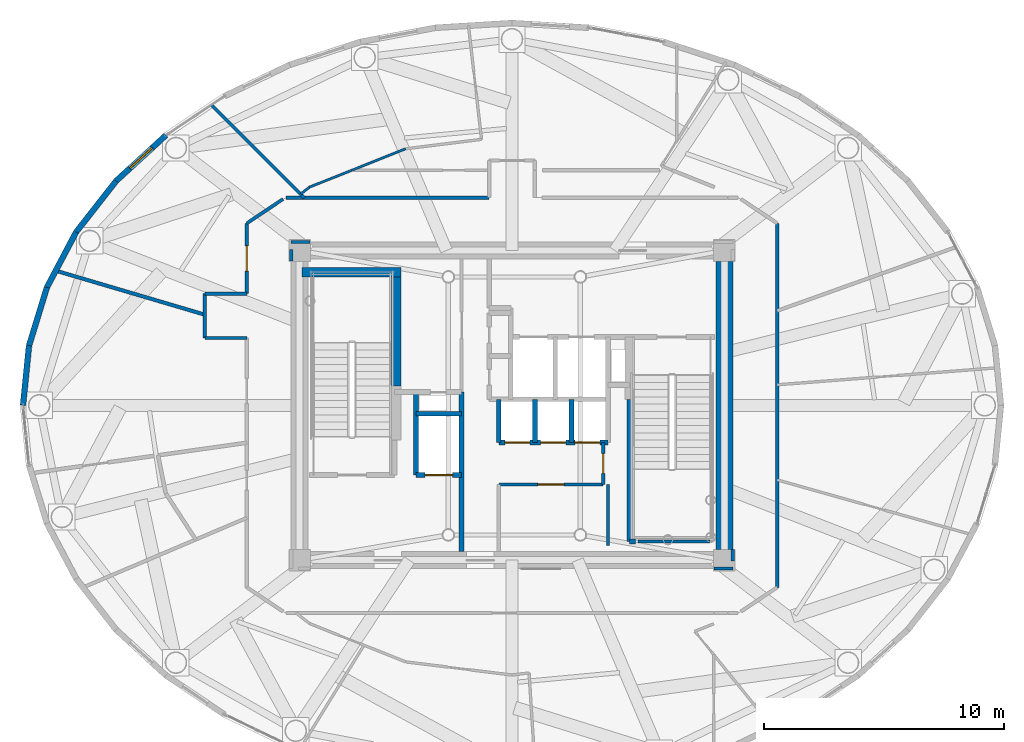
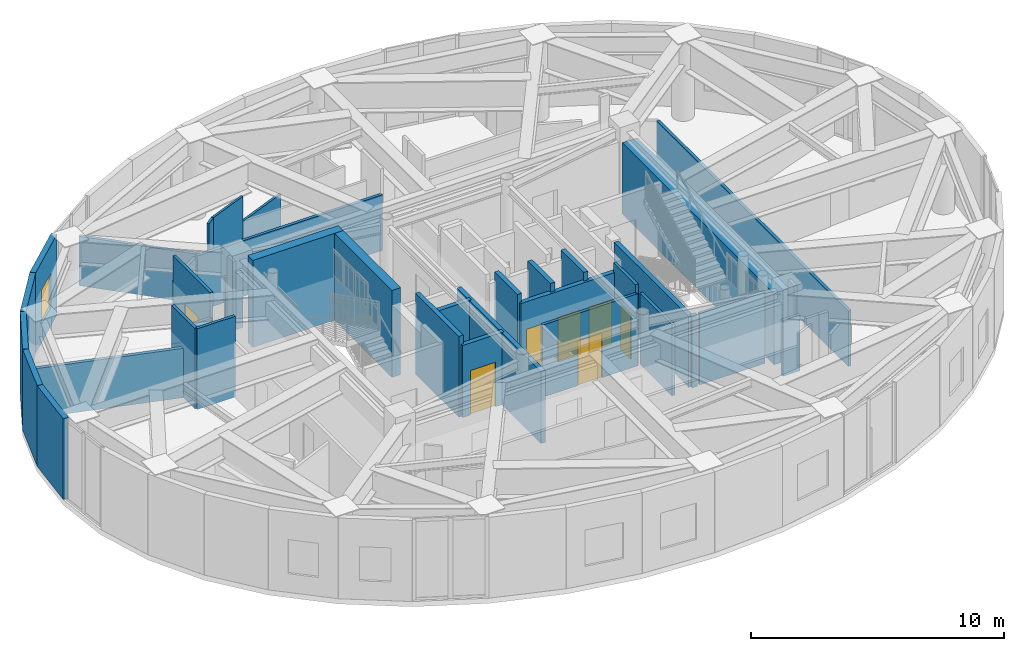
# One storey, part 15 of 23: 38 walls, 7 doors, 1 window, 8 openings.
"""IFC4 building model written with IfcOpenShell, lengths in metres."""

from ifc_helpers import new_model, si_unit, direction, frame, frame_2d, origin, origin_2d, place, context, subcontext, project, spatial, rectangle, extrude, source, transform, mapped, material, layer, layer_set, type_object, element, fill, save


model = new_model("IFC4")

# Units and contexts
model_context = context("Model", 3, precision=1e-05, world=origin(), true_north=direction((0.0, 1.0)))
body_context = subcontext(model_context, "Body", "Model", "MODEL_VIEW")
ifc_project = project(units=[si_unit("LENGTHUNIT", "METRE"), si_unit("AREAUNIT", "SQUARE_METRE"), si_unit("VOLUMEUNIT", "CUBIC_METRE"), si_unit("PLANEANGLEUNIT", "RADIAN"), si_unit("MASSUNIT", "GRAM", prefix="KILO")], contexts=[model_context])

# Site, building, storey
site_placement = place(None, origin())
site = spatial("IfcSite", under=ifc_project, at=site_placement, CompositionType="ELEMENT")
building_placement = place(site_placement, origin())
building = spatial("IfcBuilding", under=site, at=building_placement, Name="Linh Dai School and Residence Tower", CompositionType="ELEMENT")
storey_placement = place(building_placement, frame((0.0, 0.0, 359.39990234375)))
storey = spatial("IfcBuildingStorey", under=building, at=storey_placement, Name="L89", CompositionType="ELEMENT", Elevation=359.39990234375)

# Wall, opening, window
ifc_material_1 = material(Name="Precast Concrete B45 (C35/45)", Category="concrete")
ifc_layer_1 = layer(ifc_material_1, 0.239990234375)
ifc_layer_set_1 = layer_set([ifc_layer_1], Name="Precast Concrete B45 (C35/45)")
wall_type_1 = type_object("IfcWallType", Name="EW-TC-240", PredefinedType="SOLIDWALL", material=ifc_layer_set_1)
wall_1_placement = place(storey_placement, frame((19.5068359375, 36.351806640625, 0.0), z_axis=(0.0, 0.0, 1.0), x_axis=(0.737020907932, 0.675869944051, 0.0)))
wall_1 = element("IfcWall", 1, at=wall_1_placement, inside=storey, type_object=wall_type_1, Name="L89 Terracotta Exterior Wall 16", PredefinedType="SOLIDWALL", context=body_context, shape_type="SweptSolid", body=[
    extrude(rectangle(XDim=2.814697265625, YDim=0.239990234375, at=frame_2d((1.4072265625, 0.0))), origin(), (0.0, 0.0, 1.0), 3.900146484375),
])
opening_1_placement = place(wall_1_placement, frame((0.78271484375, 0.0, 0.89990234375)))
opening_1 = element("IfcOpeningElement", 2, at=opening_1_placement, cuts=wall_1, Name="Opening W3", PredefinedType="OPENING", context=body_context, shape_type="SweptSolid", body=[
    extrude(rectangle(XDim=1.25, YDim=1.64990234375, at=origin_2d()), frame((0.625, 0.1298828125, 0.824951171875), z_axis=(0.0, -1.0, 0.0), x_axis=(1.0, 0.0, 0.0)), (0.0, 0.0, 1.0), 0.260009765625),
])
ifc_material_2 = material(Name="Double Low-E Insulated Glazing", Category="glass")
window_type = type_object("IfcWindowType", Name="WN-RES-1250x1650", PartitioningType="SINGLE_PANEL", PredefinedType="WINDOW", material=ifc_material_2)
shared_shape_1 = source(origin(), body_context, "Body", "SweptSolid", [
    extrude(rectangle(XDim=1.25, YDim=1.64990234375, at=origin_2d()), frame((0.625, 0.030029296875, 0.824951171875), z_axis=(0.0, -1.0, 0.0), x_axis=(1.0, 0.0, 0.0)), (0.0, 0.0, 1.0), 0.06005859375),
])
window_placement = place(opening_1_placement, origin())
window = element("IfcWindow", 3, at=window_placement, inside=storey, type_object=window_type, Name="L89 Exterior Window 16.1", OverallHeight=1.64990234375, OverallWidth=1.25, PartitioningType="SINGLE_PANEL", PredefinedType="WINDOW", context=body_context, shape_type="MappedRepresentation", body=[
    mapped(shared_shape_1, transform((0.0, 0.0, 0.0), x_axis=(1.0, 0.0, 0.0), y_axis=(0.0, 1.0, 0.0), z_axis=(0.0, 0.0, 1.0), scale=1.0)),
])
fill(opening_1, window)

# Walls
wall_2_placement = place(storey_placement, frame((17.839111328125, 34.220703125, 0.0), z_axis=(0.0, 0.0, 1.0), x_axis=(0.616286367698, 0.78752213492, 0.0)))
element("IfcWall", 4, at=wall_2_placement, inside=storey, type_object=wall_type_1, Name="L89 Terracotta Exterior Wall 17", PredefinedType="SOLIDWALL", context=body_context, shape_type="SweptSolid", body=[
    extrude(rectangle(XDim=2.7060546875, YDim=0.239990234375, at=frame_2d((1.35302734375, 0.0))), origin(), (0.0, 0.0, 1.0), 3.900146484375),
])
wall_3_placement = place(storey_placement, frame((16.618896484375, 31.913330078125, 0.0), z_axis=(0.0, 0.0, 1.0), x_axis=(0.467487999989, 0.883999417345, 0.0)))
element("IfcWall", 5, at=wall_3_placement, inside=storey, type_object=wall_type_1, Name="L89 Terracotta Exterior Wall 18", PredefinedType="SOLIDWALL", context=body_context, shape_type="SweptSolid", body=[
    extrude(rectangle(XDim=2.610107421875, YDim=0.239990234375, at=frame_2d((1.30517578125, 0.0))), origin(), (0.0, 0.0, 1.0), 3.900146484375),
])
wall_4_placement = place(storey_placement, frame((15.875, 29.48681640625, 0.0), z_axis=(0.0, 0.0, 1.0), x_axis=(0.293105547213, 0.956080089842, 0.0)))
element("IfcWall", 6, at=wall_4_placement, inside=storey, type_object=wall_type_1, Name="L89 Terracotta Exterior Wall 19", PredefinedType="SOLIDWALL", context=body_context, shape_type="SweptSolid", body=[
    extrude(rectangle(XDim=2.5380859375, YDim=0.239990234375, at=frame_2d((1.26904296875, 0.0))), origin(), (0.0, 0.0, 1.0), 3.900146484375),
])
wall_5_placement = place(storey_placement, frame((15.625, 27.0, 0.0), z_axis=(0.0, 0.0, 1.0), x_axis=(0.100025963401, 0.994984827344, 0.0)))
element("IfcWall", 7, at=wall_5_placement, inside=storey, type_object=wall_type_1, Name="L89 Terracotta Exterior Wall 20", PredefinedType="SOLIDWALL", context=body_context, shape_type="SweptSolid", body=[
    extrude(rectangle(XDim=2.499267578125, YDim=0.239990234375, at=frame_2d((1.24951171875, 0.0))), origin(), (0.0, 0.0, 1.0), 3.900146484375),
])
ifc_material_3 = material(Name="Autoclaved Aerated Concrete Blockwork", Category="masonry")
ifc_layer_2 = layer(ifc_material_3, 0.135009765625)
ifc_layer_set_2 = layer_set([ifc_layer_2], Name="Autoclaved Aerated Concrete Blockwork")
wall_type_2 = type_object("IfcWallType", Name="IW-CORR-135-EI90", PredefinedType="PARTITIONING", material=ifc_layer_set_2)
wall_6_placement = place(storey_placement, frame((23.199951171875, 29.800048828125, 0.0), z_axis=(0.0, 0.0, 1.0), x_axis=(0.0, 1.0, 0.0)))
element("IfcWall", 8, at=wall_6_placement, inside=storey, type_object=wall_type_2, Name="L89 Interior Partition Wall 006", PredefinedType="PARTITIONING", context=body_context, shape_type="SweptSolid", body=[
    extrude(rectangle(XDim=1.849853515625, YDim=0.135009765625, at=frame_2d((0.9248046875, 0.0))), origin(), (0.0, 0.0, 1.0), 3.900146484375),
])
wall_7_placement = place(storey_placement, frame((23.199951171875, 29.800048828125, 0.0), z_axis=(0.0, 0.0, 1.0), x_axis=(1.0, 0.0, 0.0)))
element("IfcWall", 9, at=wall_7_placement, inside=storey, type_object=wall_type_2, Name="L89 Interior Partition Wall 007", PredefinedType="PARTITIONING", context=body_context, shape_type="SweptSolid", body=[
    extrude(rectangle(XDim=1.75, YDim=0.135009765625, at=frame_2d((0.875, 0.0))), origin(), (0.0, 0.0, 1.0), 3.900146484375),
])
wall_8_placement = place(storey_placement, frame((23.199951171875, 31.64990234375, 0.0), z_axis=(0.0, 0.0, 1.0), x_axis=(1.0, 0.0, 0.0)))
element("IfcWall", 10, at=wall_8_placement, inside=storey, type_object=wall_type_2, Name="L89 Interior Partition Wall 008", PredefinedType="PARTITIONING", context=body_context, shape_type="SweptSolid", body=[
    extrude(rectangle(XDim=1.75, YDim=0.135009765625, at=frame_2d((0.875, 0.0))), origin(), (0.0, 0.0, 1.0), 2.68505859375),
])
wall_9_placement = place(storey_placement, frame((23.473876953125, 39.526123046875, 0.0), z_axis=(0.0, 0.0, 1.0), x_axis=(0.707106781187, -0.707106781187, 0.0)))
element("IfcWall", 11, at=wall_9_placement, inside=storey, type_object=wall_type_2, Name="L89 Interior Partition Wall 009", PredefinedType="PARTITIONING", context=body_context, shape_type="SweptSolid", body=[
    extrude(rectangle(XDim=5.481689453125, YDim=0.135009765625, at=frame_2d((2.74072265625, 0.0))), origin(), (0.0, 0.0, 1.0), 2.385009765625),
])

# Wall, opening, door
wall_10_placement = place(storey_placement, frame((24.949951171875, 31.64990234375, 0.0), z_axis=(0.0, 0.0, 1.0), x_axis=(0.0, 1.0, 0.0)))
wall_10 = element("IfcWall", 12, at=wall_10_placement, inside=storey, type_object=wall_type_2, Name="L89 Interior Partition Wall 012", PredefinedType="PARTITIONING", context=body_context, shape_type="SweptSolid", body=[
    extrude(rectangle(XDim=2.9326171875, YDim=0.135009765625, at=frame_2d((1.46630859375, 0.0))), origin(), (0.0, 0.0, 1.0), 3.900146484375),
])
opening_2_placement = place(wall_10_placement, frame((0.94140625, 0.0, 0.0)))
opening_2 = element("IfcOpeningElement", 13, at=opening_2_placement, cuts=wall_10, Name="Opening D04", PredefinedType="OPENING", context=body_context, shape_type="SweptSolid", body=[
    extrude(rectangle(XDim=1.050048828125, YDim=2.14990234375, at=origin_2d()), frame((0.52490234375, 0.07763671875, 1.074951171875), z_axis=(0.0, -1.0, 0.0), x_axis=(1.0, 0.0, 0.0)), (0.0, 0.0, 1.0), 0.155029296875),
])
ifc_material_4 = material(Name="Acoustic Vision-Panel Timber Classroom Door", Category="wood")
door_type_1 = type_object("IfcDoorType", Name="DR-SCH-1050x2150-FD60S", OperationType="NOTDEFINED", PredefinedType="DOOR", material=ifc_material_4)
shared_shape_2 = source(origin(), body_context, "Body", "SweptSolid", [
    extrude(rectangle(XDim=1.050048828125, YDim=2.14990234375, at=origin_2d()), frame((0.52490234375, 0.02490234375, 1.074951171875), z_axis=(0.0, -1.0, 0.0), x_axis=(1.0, 0.0, 0.0)), (0.0, 0.0, 1.0), 0.050048828125),
])
door_1_placement = place(opening_2_placement, origin())
door_1 = element("IfcDoor", 14, at=door_1_placement, inside=storey, type_object=door_type_1, Name="L89 Crown Sky Wintergarden Lounge Door", OperationType="SINGLE_SWING_RIGHT", OverallHeight=2.14990234375, OverallWidth=1.050048828125, PredefinedType="DOOR", context=body_context, shape_type="MappedRepresentation", body=[
    mapped(shared_shape_2, transform((0.0, 0.0, 0.0), x_axis=(1.0, 0.0, 0.0), y_axis=(0.0, 1.0, 0.0), z_axis=(0.0, 0.0, 1.0), scale=1.0)),
])
fill(opening_2, door_1)

# Walls
wall_11_placement = place(storey_placement, frame((24.949951171875, 34.58251953125, 0.0), z_axis=(0.0, 0.0, 1.0), x_axis=(0.831180227396, 0.556003084151, 0.0)))
element("IfcWall", 15, at=wall_11_placement, inside=storey, type_object=wall_type_2, Name="L89 Interior Partition Wall 013", PredefinedType="PARTITIONING", context=body_context, shape_type="SweptSolid", body=[
    extrude(rectangle(XDim=1.815185546875, YDim=0.135009765625, at=frame_2d((0.90771484375, 0.0))), origin(), (0.0, 0.0, 1.0), 2.68505859375),
])
wall_12_placement = place(storey_placement, frame((26.580078125, 35.64990234375, 0.0), z_axis=(0.0, 0.0, 1.0), x_axis=(1.0, 0.0, 0.0)))
element("IfcWall", 16, at=wall_12_placement, inside=storey, type_object=wall_type_2, Name="L89 Interior Partition Wall 015", PredefinedType="PARTITIONING", context=body_context, shape_type="SweptSolid", body=[
    extrude(rectangle(XDim=8.469970703125, YDim=0.135009765625, at=frame_2d((4.23486328125, 0.0))), origin(), (0.0, 0.0, 1.0), 2.68505859375),
])

# Wall, opening, door
wall_13_placement = place(storey_placement, frame((35.449951171875, 23.699951171875, 0.0), z_axis=(0.0, 0.0, 1.0), x_axis=(1.0, 0.0, 0.0)))
wall_13 = element("IfcWall", 17, at=wall_13_placement, inside=storey, type_object=wall_type_2, Name="L89 Interior Partition Wall 043", PredefinedType="PARTITIONING", context=body_context, shape_type="SweptSolid", body=[
    extrude(rectangle(XDim=4.35009765625, YDim=0.135009765625, at=frame_2d((2.175048828125, 0.0))), origin(), (0.0, 0.0, 1.0), 3.485107421875),
])
opening_3_placement = place(wall_13_placement, frame((1.625, 0.0, 0.0)))
opening_3 = element("IfcOpeningElement", 18, at=opening_3_placement, cuts=wall_13, Name="Opening D07", PredefinedType="OPENING", context=body_context, shape_type="SweptSolid", body=[
    extrude(rectangle(XDim=1.10009765625, YDim=2.14990234375, at=origin_2d()), frame((0.550048828125, 0.07763671875, 1.074951171875), z_axis=(0.0, -1.0, 0.0), x_axis=(1.0, 0.0, 0.0)), (0.0, 0.0, 1.0), 0.155029296875),
])
ifc_material_5 = material(Name="Fire-Rated Louvred Steel Plant Door", Category="steel")
door_type_2 = type_object("IfcDoorType", Name="DR-PLT-1100x2150-FD60S", OperationType="NOTDEFINED", PredefinedType="DOOR", material=ifc_material_5)
shared_shape_3 = source(origin(), body_context, "Body", "SweptSolid", [
    extrude(rectangle(XDim=1.10009765625, YDim=2.14990234375, at=origin_2d()), frame((0.550048828125, 0.02490234375, 1.074951171875), z_axis=(0.0, -1.0, 0.0), x_axis=(1.0, 0.0, 0.0)), (0.0, 0.0, 1.0), 0.050048828125),
])
door_2_placement = place(opening_3_placement, origin())
door_2 = element("IfcDoor", 19, at=door_2_placement, inside=storey, type_object=door_type_2, Name="L89 Tenant Metering and BMS Room Door", OperationType="SINGLE_SWING_LEFT", OverallHeight=2.14990234375, OverallWidth=1.10009765625, PredefinedType="DOOR", context=body_context, shape_type="MappedRepresentation", body=[
    mapped(shared_shape_3, transform((0.0, 0.0, 0.0), x_axis=(1.0, 0.0, 0.0), y_axis=(0.0, 1.0, 0.0), z_axis=(0.0, 0.0, 1.0), scale=1.0)),
])
fill(opening_3, door_2)

wall_14_placement = place(storey_placement, frame((39.800048828125, 23.699951171875, 0.0), z_axis=(0.0, 0.0, 1.0), x_axis=(0.0, 1.0, 0.0)))
wall_14 = element("IfcWall", 20, at=wall_14_placement, inside=storey, type_object=wall_type_2, Name="L89 Interior Partition Wall 055", PredefinedType="PARTITIONING", context=body_context, shape_type="SweptSolid", body=[
    extrude(rectangle(XDim=1.75, YDim=0.135009765625, at=frame_2d((0.875, 0.0))), origin(), (0.0, 0.0, 1.0), 3.900146484375),
])
opening_4_placement = place(wall_14_placement, frame((0.465087890625, 0.0, 0.0)))
opening_4 = element("IfcOpeningElement", 21, at=opening_4_placement, cuts=wall_14, Name="Opening D06", PredefinedType="OPENING", context=body_context, shape_type="SweptSolid", body=[
    extrude(rectangle(XDim=0.820068359375, YDim=2.10009765625, at=origin_2d()), frame((0.41015625, 0.07763671875, 1.050048828125), z_axis=(0.0, -1.0, 0.0), x_axis=(1.0, 0.0, 0.0)), (0.0, 0.0, 1.0), 0.155029296875),
])
ifc_material_6 = material(Name="Moisture-Resistant Timber Bathroom Door", Category="wood")
door_type_3 = type_object("IfcDoorType", Name="DR-WET-820x2100", OperationType="NOTDEFINED", PredefinedType="DOOR", material=ifc_material_6)
shared_shape_4 = source(origin(), body_context, "Body", "SweptSolid", [
    extrude(rectangle(XDim=0.820068359375, YDim=2.10009765625, at=origin_2d()), frame((0.41015625, 0.02490234375, 1.050048828125), z_axis=(0.0, -1.0, 0.0), x_axis=(1.0, 0.0, 0.0)), (0.0, 0.0, 1.0), 0.050048828125),
])
door_3_placement = place(opening_4_placement, origin())
door_3 = element("IfcDoor", 22, at=door_3_placement, inside=storey, type_object=door_type_3, Name="L89 Core Housekeeping Store Door", OperationType="SINGLE_SWING_LEFT", OverallHeight=2.10009765625, OverallWidth=0.820068359375, PredefinedType="DOOR", context=body_context, shape_type="MappedRepresentation", body=[
    mapped(shared_shape_4, transform((0.0, 0.0, 0.0), x_axis=(1.0, 0.0, 0.0), y_axis=(0.0, 1.0, 0.0), z_axis=(0.0, 0.0, 1.0), scale=1.0)),
])
fill(opening_4, door_3)

# Walls
wall_15_placement = place(storey_placement, frame((47.050048828125, 19.41748046875, 0.0), z_axis=(0.0, 0.0, 1.0), x_axis=(0.0, 1.0, 0.0)))
element("IfcWall", 23, at=wall_15_placement, inside=storey, type_object=wall_type_2, Name="L89 Interior Partition Wall 070", PredefinedType="PARTITIONING", context=body_context, shape_type="SweptSolid", body=[
    extrude(rectangle(XDim=15.1650390625, YDim=0.135009765625, at=frame_2d((7.58251953125, 0.0))), origin(), (0.0, 0.0, 1.0), 2.68505859375),
])
wall_16_placement = place(storey_placement, frame((44.239990234375, 21.330078125, 0.0), z_axis=(0.0, 0.0, 1.0), x_axis=(-1.0, 0.0, 0.0)))
element("IfcWall", 24, at=wall_16_placement, inside=storey, type_object=wall_type_2, Name="L89 Interior Partition Wall 074", PredefinedType="PARTITIONING", context=body_context, shape_type="SweptSolid", body=[
    extrude(rectangle(XDim=2.97998046875, YDim=0.135009765625, at=frame_2d((1.489990234375, 0.0))), origin(), (0.0, 0.0, 1.0), 3.43505859375),
])
wall_17_placement = place(storey_placement, frame((40.0, 23.699951171875, 0.0), z_axis=(0.0, 0.0, 1.0), x_axis=(0.0, -1.0, 0.0)))
element("IfcWall", 25, at=wall_17_placement, inside=storey, type_object=wall_type_2, Name="L89 Interior Partition Wall 075", PredefinedType="PARTITIONING", context=body_context, shape_type="SweptSolid", body=[
    extrude(rectangle(XDim=2.5400390625, YDim=0.135009765625, at=frame_2d((1.27001953125, 0.0))), origin(), (0.0, 0.0, 1.0), 3.43505859375),
])
wall_18_placement = place(storey_placement, frame((27.590087890625, 33.800048828125, 0.0), z_axis=(0.0, 0.0, 1.0), x_axis=(-1.0, 0.0, 0.0)))
element("IfcWall", 26, at=wall_18_placement, inside=storey, type_object=wall_type_2, Name="L89 Interior Partition Wall 080", PredefinedType="PARTITIONING", context=body_context, shape_type="SweptSolid", body=[
    extrude(rectangle(XDim=0.7900390625, YDim=0.135009765625, at=frame_2d((0.39501953125, 0.0))), origin(), (0.0, 0.0, 1.0), 2.68505859375),
])
wall_19_placement = place(storey_placement, frame((26.800048828125, 33.492431640625, 0.0), z_axis=(0.0, 0.0, 1.0), x_axis=(0.0, -1.0, 0.0)))
element("IfcWall", 27, at=wall_19_placement, inside=storey, type_object=wall_type_2, Name="L89 Interior Partition Wall 081", PredefinedType="PARTITIONING", context=body_context, shape_type="SweptSolid", body=[
    extrude(rectangle(XDim=0.482421875, YDim=0.135009765625, at=frame_2d((0.2412109375, 0.0))), origin(), (0.0, 0.0, 1.0), 3.900146484375),
])
wall_20_placement = place(storey_placement, frame((44.409912109375, 20.199951171875, 0.0), z_axis=(0.0, 0.0, 1.0), x_axis=(1.0, 0.0, 0.0)))
element("IfcWall", 28, at=wall_20_placement, inside=storey, type_object=wall_type_2, Name="L89 Interior Partition Wall 084", PredefinedType="PARTITIONING", context=body_context, shape_type="SweptSolid", body=[
    extrude(rectangle(XDim=0.7900390625, YDim=0.135009765625, at=frame_2d((0.39501953125, 0.0))), origin(), (0.0, 0.0, 1.0), 2.68505859375),
])
wall_21_placement = place(storey_placement, frame((45.199951171875, 20.507568359375, 0.0), z_axis=(0.0, 0.0, 1.0), x_axis=(0.0, 1.0, 0.0)))
element("IfcWall", 29, at=wall_21_placement, inside=storey, type_object=wall_type_2, Name="L89 Interior Partition Wall 085", PredefinedType="PARTITIONING", context=body_context, shape_type="SweptSolid", body=[
    extrude(rectangle(XDim=0.482421875, YDim=0.135009765625, at=frame_2d((0.2412109375, 0.0))), origin(), (0.0, 0.0, 1.0), 3.900146484375),
])
ifc_layer_3 = layer(ifc_material_3, 0.14990234375)
ifc_layer_set_3 = layer_set([ifc_layer_3], Name="Autoclaved Aerated Concrete Blockwork")
wall_type_3 = type_object("IfcWallType", Name="IW-SCH-150-EI60", PredefinedType="PARTITIONING", material=ifc_layer_set_3)
wall_22_placement = place(storey_placement, frame((16.982421875, 32.611572265625, 0.0), z_axis=(0.0, 0.0, 1.0), x_axis=(0.95911324628, -0.283022580037, 0.0)))
element("IfcWall", 30, at=wall_22_placement, inside=storey, type_object=wall_type_3, Name="L89 Interior Partition Wall 002", PredefinedType="PARTITIONING", context=body_context, shape_type="SweptSolid", body=[
    extrude(rectangle(XDim=6.482666015625, YDim=0.14990234375, at=frame_2d((3.2412109375, 0.0))), origin(), (0.0, 0.0, 1.0), 2.385009765625),
])
ifc_material_7 = material(Name="Concrete B45 (C35/45)", Category="concrete")
ifc_layer_4 = layer(ifc_material_7, 0.199951171875)
ifc_layer_set_4 = layer_set([ifc_layer_4], Name="Concrete B45 (C35/45)")
wall_type_4 = type_object("IfcWallType", Name="IW-SHAFT-200-EI120", PredefinedType="PARTITIONING", material=ifc_layer_set_4)
wall_23_placement = place(storey_placement, frame((32.0, 24.10009765625, 0.0), z_axis=(0.0, 0.0, 1.0), x_axis=(0.0, 1.0, 0.0)))
element("IfcWall", 31, at=wall_23_placement, inside=storey, type_object=wall_type_4, Name="L89 Interior Partition Wall 028", PredefinedType="PARTITIONING", context=body_context, shape_type="SweptSolid", body=[
    extrude(rectangle(XDim=3.449951171875, YDim=0.199951171875, at=frame_2d((1.72509765625, 0.0))), origin(), (0.0, 0.0, 1.0), 3.900146484375),
])

# Wall, opening, door
wall_24_placement = place(storey_placement, frame((32.0, 24.10009765625, 0.0), z_axis=(0.0, 0.0, 1.0), x_axis=(1.0, 0.0, 0.0)))
wall_24 = element("IfcWall", 32, at=wall_24_placement, inside=storey, type_object=wall_type_4, Name="L89 Interior Partition Wall 029", PredefinedType="PARTITIONING", context=body_context, shape_type="SweptSolid", body=[
    extrude(rectangle(XDim=1.89990234375, YDim=0.199951171875, at=frame_2d((0.949951171875, 0.0))), origin(), (0.0, 0.0, 1.0), 3.485107421875),
])
opening_5_placement = place(wall_24_placement, frame((0.375, 0.0, 0.0)))
opening_5 = element("IfcOpeningElement", 33, at=opening_5_placement, cuts=wall_24, Name="Opening LD-FF2", PredefinedType="OPENING", context=body_context, shape_type="SweptSolid", body=[
    extrude(rectangle(XDim=1.14990234375, YDim=2.14990234375, at=origin_2d()), frame((0.574951171875, 0.10986328125, 1.074951171875), z_axis=(0.0, -1.0, 0.0), x_axis=(1.0, 0.0, 0.0)), (0.0, 0.0, 1.0), 0.219970703125),
])
ifc_material_8 = material(Name="Fire-Rated Stainless Steel Firefighting Lift Door", Category="steel")
door_type_4 = type_object("IfcDoorType", Name="DR-LD-FF-1150x2150-FD120", OperationType="DOUBLE_DOOR_SLIDING", PredefinedType="USERDEFINED", material=ifc_material_8)
shared_shape_5 = source(origin(), body_context, "Body", "SweptSolid", [
    extrude(rectangle(XDim=1.14990234375, YDim=2.14990234375, at=origin_2d()), frame((0.574951171875, 0.02490234375, 1.074951171875), z_axis=(0.0, -1.0, 0.0), x_axis=(1.0, 0.0, 0.0)), (0.0, 0.0, 1.0), 0.050048828125),
])
door_4_placement = place(opening_5_placement, origin())
door_4 = element("IfcDoor", 34, at=door_4_placement, inside=storey, type_object=door_type_4, Name="L89 Lift FF2 Sliding Landing Door", ObjectType="LANDING DOOR", OperationType="DOUBLE_DOOR_SLIDING", OverallHeight=2.14990234375, OverallWidth=1.14990234375, PredefinedType="USERDEFINED", context=body_context, shape_type="MappedRepresentation", body=[
    mapped(shared_shape_5, transform((0.0, 0.0, 0.0), x_axis=(1.0, 0.0, 0.0), y_axis=(0.0, 1.0, 0.0), z_axis=(0.0, 0.0, 1.0), scale=1.0)),
])
fill(opening_5, door_4)

# Walls
wall_25_placement = place(storey_placement, frame((32.0, 26.64990234375, 0.0), z_axis=(0.0, 0.0, 1.0), x_axis=(1.0, 0.0, 0.0)))
element("IfcWall", 35, at=wall_25_placement, inside=storey, type_object=wall_type_4, Name="L89 Interior Partition Wall 030", PredefinedType="PARTITIONING", context=body_context, shape_type="SweptSolid", body=[
    extrude(rectangle(XDim=1.89990234375, YDim=0.199951171875, at=frame_2d((0.949951171875, 0.0))), origin(), (0.0, 0.0, 1.0), 3.485107421875),
])
wall_26_placement = place(storey_placement, frame((33.89990234375, 20.89990234375, 0.0), z_axis=(0.0, 0.0, 1.0), x_axis=(0.0, 1.0, 0.0)))
element("IfcWall", 36, at=wall_26_placement, inside=storey, type_object=wall_type_4, Name="L89 Interior Partition Wall 031", PredefinedType="PARTITIONING", context=body_context, shape_type="SweptSolid", body=[
    extrude(rectangle(XDim=6.650146484375, YDim=0.199951171875, at=frame_2d((3.3251953125, 0.0))), origin(), (0.0, 0.0, 1.0), 3.485107421875),
])
wall_27_placement = place(storey_placement, frame((35.449951171875, 25.449951171875, 0.0), z_axis=(0.0, 0.0, 1.0), x_axis=(0.0, 1.0, 0.0)))
element("IfcWall", 37, at=wall_27_placement, inside=storey, type_object=wall_type_4, Name="L89 Interior Partition Wall 044", PredefinedType="PARTITIONING", context=body_context, shape_type="SweptSolid", body=[
    extrude(rectangle(XDim=1.800048828125, YDim=0.199951171875, at=frame_2d((0.89990234375, 0.0))), origin(), (0.0, 0.0, 1.0), 3.900146484375),
])

# Wall, openings, doors
wall_28_placement = place(storey_placement, frame((35.449951171875, 25.449951171875, 0.0), z_axis=(0.0, 0.0, 1.0), x_axis=(1.0, 0.0, 0.0)))
wall_28 = element("IfcWall", 38, at=wall_28_placement, inside=storey, type_object=wall_type_4, Name="L89 Interior Partition Wall 045", PredefinedType="PARTITIONING", context=body_context, shape_type="SweptSolid", body=[
    extrude(rectangle(XDim=4.550048828125, YDim=0.199951171875, at=frame_2d((2.27490234375, 0.0))), origin(), (0.0, 0.0, 1.0), 3.485107421875),
])
opening_6_placement = place(wall_28_placement, frame((0.25, 0.0, 0.0)))
opening_6 = element("IfcOpeningElement", 39, at=opening_6_placement, cuts=wall_28, Name="Opening LD-PL7", PredefinedType="OPENING", context=body_context, shape_type="SweptSolid", body=[
    extrude(rectangle(XDim=1.050048828125, YDim=2.14990234375, at=origin_2d()), frame((0.52490234375, 0.10986328125, 1.074951171875), z_axis=(0.0, -1.0, 0.0), x_axis=(1.0, 0.0, 0.0)), (0.0, 0.0, 1.0), 0.219970703125),
])
opening_7_placement = place(wall_28_placement, frame((1.7451171875, 0.0, 0.0)))
opening_7 = element("IfcOpeningElement", 40, at=opening_7_placement, cuts=wall_28, Name="Opening LD-PL8", PredefinedType="OPENING", context=body_context, shape_type="SweptSolid", body=[
    extrude(rectangle(XDim=1.050048828125, YDim=2.14990234375, at=origin_2d()), frame((0.52490234375, 0.10986328125, 1.074951171875), z_axis=(0.0, -1.0, 0.0), x_axis=(1.0, 0.0, 0.0)), (0.0, 0.0, 1.0), 0.219970703125),
])
opening_8_placement = place(wall_28_placement, frame((3.1650390625, 0.0, 0.0)))
opening_8 = element("IfcOpeningElement", 41, at=opening_8_placement, cuts=wall_28, Name="Opening LD-PL9", PredefinedType="OPENING", context=body_context, shape_type="SweptSolid", body=[
    extrude(rectangle(XDim=1.050048828125, YDim=2.14990234375, at=origin_2d()), frame((0.52490234375, 0.10986328125, 1.074951171875), z_axis=(0.0, -1.0, 0.0), x_axis=(1.0, 0.0, 0.0)), (0.0, 0.0, 1.0), 0.219970703125),
])
ifc_material_9 = material(Name="Brushed Stainless Steel Lift Landing Door", Category="steel")
door_type_5 = type_object("IfcDoorType", Name="DR-LD-PASS-1050x2150", OperationType="DOUBLE_DOOR_SLIDING", PredefinedType="USERDEFINED", material=ifc_material_9)
shared_shape_6 = source(origin(), body_context, "Body", "SweptSolid", [
    extrude(rectangle(XDim=1.050048828125, YDim=2.14990234375, at=origin_2d()), frame((0.52490234375, 0.02490234375, 1.074951171875), z_axis=(0.0, -1.0, 0.0), x_axis=(1.0, 0.0, 0.0)), (0.0, 0.0, 1.0), 0.050048828125),
])
door_5_placement = place(opening_6_placement, origin())
door_5 = element("IfcDoor", 42, at=door_5_placement, inside=storey, type_object=door_type_5, Name="L89 Lift PL7 Sliding Landing Door", ObjectType="LANDING DOOR", OperationType="DOUBLE_DOOR_SLIDING", OverallHeight=2.14990234375, OverallWidth=1.050048828125, PredefinedType="USERDEFINED", context=body_context, shape_type="MappedRepresentation", body=[
    mapped(shared_shape_6, transform((0.0, 0.0, 0.0), x_axis=(1.0, 0.0, 0.0), y_axis=(0.0, 1.0, 0.0), z_axis=(0.0, 0.0, 1.0), scale=1.0)),
])
fill(opening_6, door_5)
door_6_placement = place(opening_7_placement, origin())
door_6 = element("IfcDoor", 43, at=door_6_placement, inside=storey, type_object=door_type_5, Name="L89 Lift PL8 Sliding Landing Door", ObjectType="LANDING DOOR", OperationType="DOUBLE_DOOR_SLIDING", OverallHeight=2.14990234375, OverallWidth=1.050048828125, PredefinedType="USERDEFINED", context=body_context, shape_type="MappedRepresentation", body=[
    mapped(shared_shape_6, transform((0.0, 0.0, 0.0), x_axis=(1.0, 0.0, 0.0), y_axis=(0.0, 1.0, 0.0), z_axis=(0.0, 0.0, 1.0), scale=1.0)),
])
fill(opening_7, door_6)
door_7_placement = place(opening_8_placement, origin())
door_7 = element("IfcDoor", 44, at=door_7_placement, inside=storey, type_object=door_type_5, Name="L89 Lift PL9 Sliding Landing Door", ObjectType="LANDING DOOR", OperationType="DOUBLE_DOOR_SLIDING", OverallHeight=2.14990234375, OverallWidth=1.050048828125, PredefinedType="USERDEFINED", context=body_context, shape_type="MappedRepresentation", body=[
    mapped(shared_shape_6, transform((0.0, 0.0, 0.0), x_axis=(1.0, 0.0, 0.0), y_axis=(0.0, 1.0, 0.0), z_axis=(0.0, 0.0, 1.0), scale=1.0)),
])
fill(opening_8, door_7)

# Walls
for number, where, z_axis, x_axis, name in (
    (45, (36.9599609375, 25.449951171875, 0.0), (0.0, 0.0, 1.0), (0.0, 1.0, 0.0), "L89 Interior Partition Wall 052"),
    (46, (38.47998046875, 25.449951171875, 0.0), (0.0, 0.0, 1.0), (0.0, 1.0, 0.0), "L89 Interior Partition Wall 054"),
):
    element("IfcWall", number, at=place(storey_placement, frame(where, z_axis=z_axis, x_axis=x_axis)), inside=storey, type_object=wall_type_4, Name=name, PredefinedType="PARTITIONING", context=body_context, shape_type="SweptSolid", body=[
        extrude(rectangle(XDim=1.800048828125, YDim=0.199951171875, at=frame_2d((0.89990234375, 0.0))), origin(), (0.0, 0.0, 1.0), 3.900146484375),
    ])
wall_29_placement = place(storey_placement, frame((40.89990234375, 21.330078125, 0.0), z_axis=(0.0, 0.0, 1.0), x_axis=(0.0, 1.0, 0.0)))
element("IfcWall", 47, at=wall_29_placement, inside=storey, type_object=wall_type_4, Name="L89 Interior Partition Wall 058", PredefinedType="PARTITIONING", context=body_context, shape_type="SweptSolid", body=[
    extrude(rectangle(XDim=5.909912109375, YDim=0.199951171875, at=frame_2d((2.955078125, 0.0))), origin(), (0.0, 0.0, 1.0), 3.43505859375),
])
wall_30_placement = place(storey_placement, frame((40.89990234375, 21.330078125, 0.0), z_axis=(0.0, 0.0, 1.0), x_axis=(1.0, 0.0, 0.0)))
element("IfcWall", 48, at=wall_30_placement, inside=storey, type_object=wall_type_4, Name="L89 Interior Partition Wall 059", PredefinedType="PARTITIONING", context=body_context, shape_type="SweptSolid", body=[
    extrude(rectangle(XDim=0.25, YDim=0.199951171875, at=frame_2d((0.125, 0.0))), origin(), (0.0, 0.0, 1.0), 3.43505859375),
])
ifc_material_10 = material(Name="Gypsum Plasterboard Acoustic Stud Partition", Category="masonry")
ifc_layer_5 = layer(ifc_material_10, 0.10009765625)
ifc_layer_set_5 = layer_set([ifc_layer_5], Name="Gypsum Plasterboard Acoustic Stud Partition")
wall_type_5 = type_object("IfcWallType", Name="IW-UNIT-100", PredefinedType="PARTITIONING", material=ifc_layer_set_5)
wall_31_placement = place(storey_placement, frame((27.196533203125, 35.803466796875, 0.0), z_axis=(0.0, 0.0, 1.0), x_axis=(0.787438970535, 0.616392624617, 0.0)))
element("IfcWall", 49, at=wall_31_placement, inside=storey, type_object=wall_type_5, Name="L89 Interior Partition Wall 018", PredefinedType="PARTITIONING", context=body_context, shape_type="SweptSolid", body=[
    extrude(rectangle(XDim=0.46826171875, YDim=0.10009765625, at=frame_2d((0.234130859375, 0.0))), origin(), (0.0, 0.0, 1.0), 3.900146484375),
])
wall_32_placement = place(storey_placement, frame((27.565185546875, 36.092041015625, 0.0), z_axis=(0.0, 0.0, 1.0), x_axis=(0.928751717561, 0.370702370006, 0.0)))
element("IfcWall", 50, at=wall_32_placement, inside=storey, type_object=wall_type_5, Name="L89 Interior Partition Wall 021", PredefinedType="PARTITIONING", context=body_context, shape_type="SweptSolid", body=[
    extrude(rectangle(XDim=1.89599609375, YDim=0.10009765625, at=frame_2d((0.947998046875, 0.0))), origin(), (0.0, 0.0, 1.0), 3.900146484375),
])
wall_33_placement = place(storey_placement, frame((29.33642578125, 36.7958984375, 0.0), z_axis=(0.0, 0.0, 1.0), x_axis=(0.928350426012, 0.371706183058, 0.0)))
element("IfcWall", 51, at=wall_33_placement, inside=storey, type_object=wall_type_5, Name="L89 Interior Partition Wall 022", PredefinedType="PARTITIONING", context=body_context, shape_type="SweptSolid", body=[
    extrude(rectangle(XDim=2.4013671875, YDim=0.10009765625, at=frame_2d((1.20068359375, 0.0))), origin(), (0.0, 0.0, 1.0), 2.68505859375),
])
ifc_layer_6 = layer(ifc_material_7, 0.39990234375)
ifc_layer_set_6 = layer_set([ifc_layer_6], Name="Concrete B45 (C35/45)")
wall_type_6 = type_object("IfcWallType", Name="WL-CORE400", PredefinedType="SHEAR", material=ifc_layer_set_6)
wall_34_placement = place(storey_placement, frame((31.179931640625, 27.800048828125, 0.0), z_axis=(0.0, 0.0, 1.0), x_axis=(0.0, 1.0, 0.0)))
element("IfcWall", 52, at=wall_34_placement, inside=storey, type_object=wall_type_6, Name="L89 Core Stair ST1 Bearing Wall E", PredefinedType="SHEAR", context=body_context, shape_type="SweptSolid", body=[
    extrude(rectangle(XDim=4.75, YDim=0.39990234375, at=frame_2d((2.375, 0.0))), origin(), (0.0, 0.0, 1.0), 4.2001953125),
])
wall_35_placement = place(storey_placement, frame((27.25, 32.550048828125, 0.0), z_axis=(0.0, 0.0, 1.0), x_axis=(1.0, 0.0, 0.0)))
element("IfcWall", 53, at=wall_35_placement, inside=storey, type_object=wall_type_6, Name="L89 Core Stair ST1 Bearing Wall N", PredefinedType="SHEAR", context=body_context, shape_type="SweptSolid", body=[
    extrude(rectangle(XDim=4.1298828125, YDim=0.39990234375, at=frame_2d((2.06494140625, 0.0))), origin(), (0.0, 0.0, 1.0), 4.2001953125),
])
ifc_layer_7 = layer(ifc_material_7, 0.699951171875)
ifc_layer_set_7 = layer_set([ifc_layer_7], Name="Concrete B45 (C35/45)")
wall_type_7 = type_object("IfcWallType", Name="WL-CORE700", PredefinedType="SHEAR", material=ifc_layer_set_7)
wall_36_placement = place(storey_placement, frame((44.85009765625, 33.0, 0.0), z_axis=(0.0, 0.0, 1.0), x_axis=(0.0, -1.0, 0.0)))
element("IfcWall", 54, at=wall_36_placement, inside=storey, type_object=wall_type_7, Name="L89 Central Core Shear Wall E", PredefinedType="SHEAR", context=body_context, shape_type="SweptSolid", body=[
    extrude(rectangle(XDim=12.0, YDim=0.699951171875, at=frame_2d((6.0, 0.0))), origin(), (0.0, 0.0, 1.0), 3.4501953125),
])

save(model, "model.ifc")
